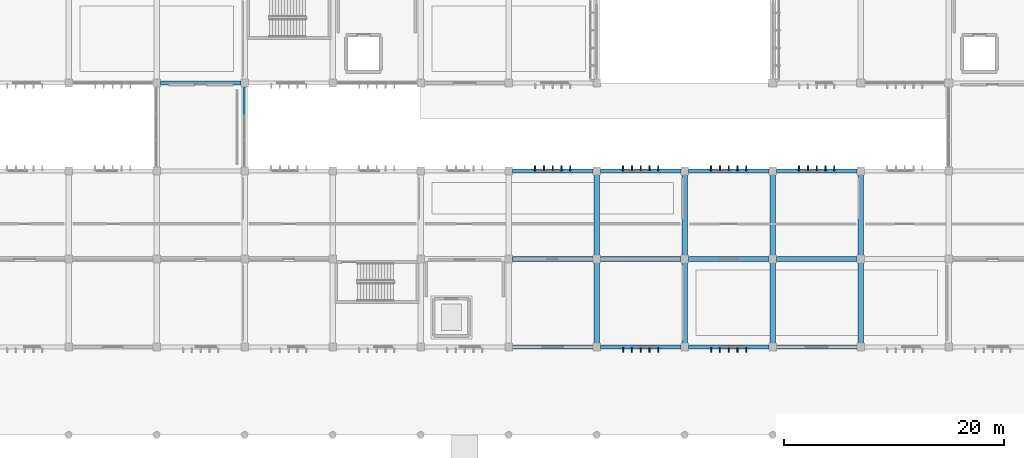
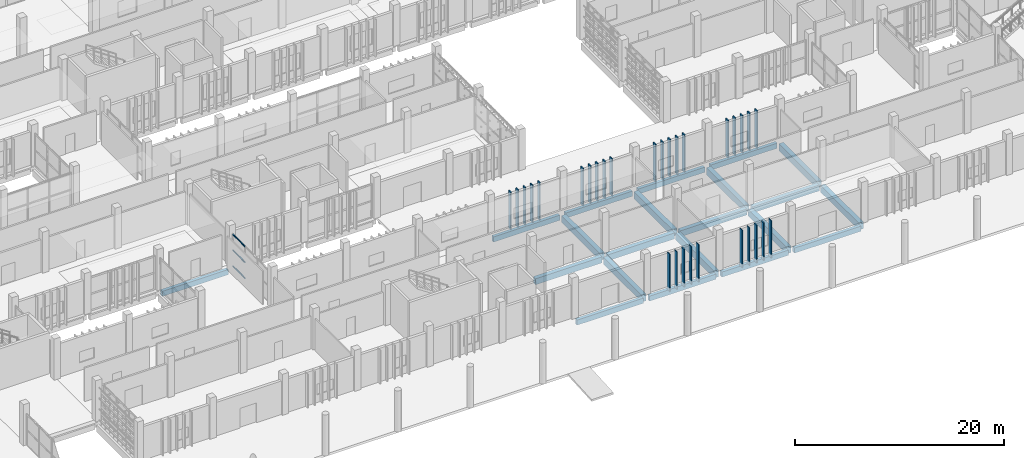
# One storey, part 39 of 117: 33 members, 21 beams, 1 element without a shape of its own.
"""IFC4 building model written with IfcOpenShell, lengths in metres."""

from ifc_helpers import new_model, si_unit, direction, frame, origin, origin_2d, place, context, subcontext, project, spatial, rectangle, extrude, material, layer, layer_set, material_profile, profile_set, type_object, element, aggregate, save


model = new_model("IFC4")

# Units and contexts
model_context = context("Model", 3, precision=1e-05, world=origin(), true_north=direction((0.0, 1.0)))
body_context = subcontext(model_context, "Body", "Model", "MODEL_VIEW")
ifc_project = project(units=[si_unit("LENGTHUNIT", "METRE"), si_unit("AREAUNIT", "SQUARE_METRE"), si_unit("VOLUMEUNIT", "CUBIC_METRE"), si_unit("PLANEANGLEUNIT", "RADIAN"), si_unit("MASSUNIT", "GRAM", prefix="KILO")], contexts=[model_context])

# Site, building, storey
site_placement = place(None, origin())
site = spatial("IfcSite", under=ifc_project, at=site_placement, CompositionType="ELEMENT")
building_placement = place(site_placement, origin())
building = spatial("IfcBuilding", under=site, at=building_placement, Name="Jelvoka-Kovrelna Polytechnic", CompositionType="ELEMENT")
storey_placement = place(building_placement, origin())
storey = spatial("IfcBuildingStorey", under=building, at=storey_placement, Name="L01", CompositionType="ELEMENT", Elevation=0.0)

# Beams
ifc_material_1 = material(Name="Concrete C40/50", Category="concrete")
ifc_material_profile_1 = material_profile(ifc_material_1, rectangle(XDim=0.449951171875, YDim=0.699951171875, at=origin_2d()), Name="RC 450x700")
ifc_profile_set_1 = profile_set([ifc_material_profile_1], Name="Concrete C40/50")
beam_type_1 = type_object("IfcBeamType", Name="Beam_RC_450x700", PredefinedType="BEAM", material=ifc_profile_set_1)
for number, where, z_axis, x_axis, name in (
    (1, (104.330078125, 16.0, -0.7548828125), (1.0, 0.0, 0.0), (0.0, 1.0, 0.0), "L01 beam 0314"),
    (2, (112.330078125, 16.0, -0.7548828125), (1.0, 0.0, 0.0), (0.0, 1.0, 0.0), "L01 beam 0344"),
    (3, (120.330078125, 16.0, -0.7548828125), (1.0, 0.0, 0.0), (0.0, 1.0, 0.0), "L01 beam 0345"),
    (4, (128.330078125, 16.0, -0.7548828125), (1.0, 0.0, 0.0), (0.0, 1.0, 0.0), "L01 beam 0346"),
):
    element("IfcBeam", number, at=place(storey_placement, frame(where, z_axis=z_axis, x_axis=x_axis)), inside=storey, type_object=beam_type_1, Name=name, PredefinedType="BEAM", context=body_context, shape_type="SweptSolid", body=[
        extrude(rectangle(XDim=0.449951171875, YDim=0.699951171875, at=origin_2d()), origin(), (0.0, 0.0, 1.0), 7.33984375),
    ])
ifc_material_2 = material(Name="Concrete C40/50", Category="concrete")
ifc_material_profile_2 = material_profile(ifc_material_2, rectangle(XDim=0.5, YDim=0.800048828125, at=origin_2d()), Name="RC 500x800")
ifc_profile_set_2 = profile_set([ifc_material_profile_2], Name="Concrete C40/50")
beam_type_2 = type_object("IfcBeamType", Name="Beam_RC_500x800", PredefinedType="BEAM", material=ifc_profile_set_2)
for number, where, z_axis, x_axis, name in (
    (5, (112.0, 8.330078125, -0.804931640625), (0.0, 1.0, 0.0), (-1.0, 0.0, 0.0), "L01 beam 0336"),
    (6, (112.0, 16.330078125, -0.804931640625), (0.0, 1.0, 0.0), (-1.0, 0.0, 0.0), "L01 beam 0337"),
    (7, (120.0, 8.330078125, -0.804931640625), (0.0, 1.0, 0.0), (-1.0, 0.0, 0.0), "L01 beam 0356"),
    (8, (120.0, 16.330078125, -0.804931640625), (0.0, 1.0, 0.0), (-1.0, 0.0, 0.0), "L01 beam 0357"),
    (9, (128.0, 8.330078125, -0.804931640625), (0.0, 1.0, 0.0), (-1.0, 0.0, 0.0), "L01 beam 0358"),
    (10, (128.0, 16.330078125, -0.804931640625), (0.0, 1.0, 0.0), (-1.0, 0.0, 0.0), "L01 beam 0359"),
    (11, (136.0, 8.330078125, -0.804931640625), (0.0, 1.0, 0.0), (-1.0, 0.0, 0.0), "L01 beam 0360"),
    (12, (136.0, 16.330078125, -0.804931640625), (0.0, 1.0, 0.0), (-1.0, 0.0, 0.0), "L01 beam 0361"),
):
    element("IfcBeam", number, at=place(storey_placement, frame(where, z_axis=z_axis, x_axis=x_axis)), inside=storey, type_object=beam_type_2, Name=name, PredefinedType="BEAM", context=body_context, shape_type="SweptSolid", body=[
        extrude(rectangle(XDim=0.5, YDim=0.800048828125, at=origin_2d()), origin(), (0.0, 0.0, 1.0), 7.33984375),
    ])

# Members
ifc_material_3 = material(Name="Precast concrete C40/50", Category="concrete")
ifc_material_profile_3 = material_profile(ifc_material_3, rectangle(XDim=0.10009765625, YDim=0.449951171875, at=origin_2d()), Name="PC 100x450")
ifc_profile_set_3 = profile_set([ifc_material_profile_3], Name="Precast concrete C40/50")
member_type_1 = type_object("IfcMemberType", Name="Louvre_Fin_100x450", PredefinedType="USERDEFINED", material=ifc_profile_set_3)
for number, where, z_axis, x_axis, name in (
    (13, (114.39990234375, 7.735107421875, -0.419921875), (0.0, 0.0, 1.0), (1.0, 0.0, 0.0), "L01 B1 south vertical solar louvre fin 0056"),
    (14, (115.199951171875, 7.735107421875, -0.419921875), (0.0, 0.0, 1.0), (1.0, 0.0, 0.0), "L01 B1 south vertical solar louvre fin 0057"),
    (15, (116.0, 7.735107421875, -0.419921875), (0.0, 0.0, 1.0), (1.0, 0.0, 0.0), "L01 B1 south vertical solar louvre fin 0058"),
    (16, (116.800048828125, 7.735107421875, -0.419921875), (0.0, 0.0, 1.0), (1.0, 0.0, 0.0), "L01 B1 south vertical solar louvre fin 0059"),
    (17, (117.60009765625, 7.735107421875, -0.419921875), (0.0, 0.0, 1.0), (1.0, 0.0, 0.0), "L01 B1 south vertical solar louvre fin 0060"),
    (18, (122.39990234375, 7.735107421875, -0.419921875), (0.0, 0.0, 1.0), (1.0, 0.0, 0.0), "L01 B1 south vertical solar louvre fin 0066"),
    (19, (123.199951171875, 7.735107421875, -0.419921875), (0.0, 0.0, 1.0), (1.0, 0.0, 0.0), "L01 B1 south vertical solar louvre fin 0067"),
    (20, (124.0, 7.735107421875, -0.419921875), (0.0, 0.0, 1.0), (1.0, 0.0, 0.0), "L01 B1 south vertical solar louvre fin 0068"),
    (21, (124.800048828125, 7.735107421875, -0.419921875), (0.0, 0.0, 1.0), (1.0, 0.0, 0.0), "L01 B1 south vertical solar louvre fin 0069"),
    (22, (125.60009765625, 7.735107421875, -0.419921875), (0.0, 0.0, 1.0), (1.0, 0.0, 0.0), "L01 B1 south vertical solar louvre fin 0070"),
):
    element("IfcMember", number, at=place(storey_placement, frame(where, z_axis=z_axis, x_axis=x_axis)), inside=storey, type_object=member_type_1, Name=name, ObjectType="SUNSHADE", PredefinedType="USERDEFINED", context=body_context, shape_type="SweptSolid", body=[
        extrude(rectangle(XDim=0.10009765625, YDim=0.449951171875, at=origin_2d()), origin(), (0.0, 0.0, 1.0), 4.3798828125),
    ])
ifc_material_4 = material(Name="Precast concrete C40/50", Category="concrete")
ifc_material_profile_4 = material_profile(ifc_material_4, rectangle(XDim=0.1201171875, YDim=0.449951171875, at=origin_2d()), Name="PC 120x450")
ifc_profile_set_4 = profile_set([ifc_material_profile_4], Name="Precast concrete C40/50")
member_type_2 = type_object("IfcMemberType", Name="Louvre_Fin_120x450", PredefinedType="USERDEFINED", material=ifc_profile_set_4)
for number, where, z_axis, x_axis, name in (
    (23, (106.39990234375, 24.264892578125, -0.419921875), (0.0, 0.0, 1.0), (1.0, 0.0, 0.0), "L01 B1 north vertical solar louvre fin 0051"),
    (24, (107.199951171875, 24.264892578125, -0.419921875), (0.0, 0.0, 1.0), (1.0, 0.0, 0.0), "L01 B1 north vertical solar louvre fin 0052"),
    (25, (108.0, 24.264892578125, -0.419921875), (0.0, 0.0, 1.0), (1.0, 0.0, 0.0), "L01 B1 north vertical solar louvre fin 0053"),
    (26, (108.800048828125, 24.264892578125, -0.419921875), (0.0, 0.0, 1.0), (1.0, 0.0, 0.0), "L01 B1 north vertical solar louvre fin 0054"),
    (27, (109.60009765625, 24.264892578125, -0.419921875), (0.0, 0.0, 1.0), (1.0, 0.0, 0.0), "L01 B1 north vertical solar louvre fin 0055"),
    (28, (114.39990234375, 24.264892578125, -0.419921875), (0.0, 0.0, 1.0), (1.0, 0.0, 0.0), "L01 B1 north vertical solar louvre fin 0061"),
    (29, (115.199951171875, 24.264892578125, -0.419921875), (0.0, 0.0, 1.0), (1.0, 0.0, 0.0), "L01 B1 north vertical solar louvre fin 0062"),
    (30, (116.0, 24.264892578125, -0.419921875), (0.0, 0.0, 1.0), (1.0, 0.0, 0.0), "L01 B1 north vertical solar louvre fin 0063"),
    (31, (116.800048828125, 24.264892578125, -0.419921875), (0.0, 0.0, 1.0), (1.0, 0.0, 0.0), "L01 B1 north vertical solar louvre fin 0064"),
    (32, (117.60009765625, 24.264892578125, -0.419921875), (0.0, 0.0, 1.0), (1.0, 0.0, 0.0), "L01 B1 north vertical solar louvre fin 0065"),
    (33, (122.39990234375, 24.264892578125, -0.419921875), (0.0, 0.0, 1.0), (1.0, 0.0, 0.0), "L01 B1 north vertical solar louvre fin 0071"),
    (34, (123.199951171875, 24.264892578125, -0.419921875), (0.0, 0.0, 1.0), (1.0, 0.0, 0.0), "L01 B1 north vertical solar louvre fin 0072"),
    (35, (124.0, 24.264892578125, -0.419921875), (0.0, 0.0, 1.0), (1.0, 0.0, 0.0), "L01 B1 north vertical solar louvre fin 0073"),
    (36, (124.800048828125, 24.264892578125, -0.419921875), (0.0, 0.0, 1.0), (1.0, 0.0, 0.0), "L01 B1 north vertical solar louvre fin 0074"),
    (37, (125.60009765625, 24.264892578125, -0.419921875), (0.0, 0.0, 1.0), (1.0, 0.0, 0.0), "L01 B1 north vertical solar louvre fin 0075"),
    (38, (130.39990234375, 24.264892578125, -0.419921875), (0.0, 0.0, 1.0), (1.0, 0.0, 0.0), "L01 B1 north vertical solar louvre fin 0076"),
    (39, (131.199951171875, 24.264892578125, -0.419921875), (0.0, 0.0, 1.0), (1.0, 0.0, 0.0), "L01 B1 north vertical solar louvre fin 0077"),
    (40, (132.0, 24.264892578125, -0.419921875), (0.0, 0.0, 1.0), (1.0, 0.0, 0.0), "L01 B1 north vertical solar louvre fin 0078"),
    (41, (132.800048828125, 24.264892578125, -0.419921875), (0.0, 0.0, 1.0), (1.0, 0.0, 0.0), "L01 B1 north vertical solar louvre fin 0079"),
    (42, (133.60009765625, 24.264892578125, -0.419921875), (0.0, 0.0, 1.0), (1.0, 0.0, 0.0), "L01 B1 north vertical solar louvre fin 0080"),
):
    element("IfcMember", number, at=place(storey_placement, frame(where, z_axis=z_axis, x_axis=x_axis)), inside=storey, type_object=member_type_2, Name=name, ObjectType="SUNSHADE", PredefinedType="USERDEFINED", context=body_context, shape_type="SweptSolid", body=[
        extrude(rectangle(XDim=0.1201171875, YDim=0.449951171875, at=origin_2d()), origin(), (0.0, 0.0, 1.0), 4.3798828125),
    ])

# Beams
ifc_material_5 = material(Name="Concrete C40/50", Category="concrete")
ifc_material_profile_5 = material_profile(ifc_material_5, rectangle(XDim=0.35009765625, YDim=0.60009765625, at=origin_2d()), Name="RC 350x600")
ifc_profile_set_5 = profile_set([ifc_material_profile_5], Name="Concrete C40/50")
beam_type_3 = type_object("IfcBeamType", Name="Spandrel_RC_350x600", PredefinedType="SPANDREL", material=ifc_profile_set_5)
for number, where, z_axis, x_axis, name in (
    (43, (104.330078125, 8.0, -0.705078125), (1.0, 0.0, 0.0), (0.0, 1.0, 0.0), "L01 beam 0308"),
    (44, (104.330078125, 24.0, -0.705078125), (1.0, 0.0, 0.0), (0.0, 1.0, 0.0), "L01 beam 0321"),
    (45, (112.330078125, 8.0, -0.705078125), (1.0, 0.0, 0.0), (0.0, 1.0, 0.0), "L01 beam 0338"),
    (46, (120.330078125, 8.0, -0.705078125), (1.0, 0.0, 0.0), (0.0, 1.0, 0.0), "L01 beam 0339"),
    (47, (128.330078125, 8.0, -0.705078125), (1.0, 0.0, 0.0), (0.0, 1.0, 0.0), "L01 beam 0340"),
    (48, (112.330078125, 24.0, -0.705078125), (1.0, 0.0, 0.0), (0.0, 1.0, 0.0), "L01 beam 0350"),
    (49, (120.330078125, 24.0, -0.705078125), (1.0, 0.0, 0.0), (0.0, 1.0, 0.0), "L01 beam 0351"),
    (50, (128.330078125, 24.0, -0.705078125), (1.0, 0.0, 0.0), (0.0, 1.0, 0.0), "L01 beam 0352"),
):
    element("IfcBeam", number, at=place(storey_placement, frame(where, z_axis=z_axis, x_axis=x_axis)), inside=storey, type_object=beam_type_3, Name=name, PredefinedType="SPANDREL", context=body_context, shape_type="SweptSolid", body=[
        extrude(rectangle(XDim=0.35009765625, YDim=0.60009765625, at=origin_2d()), origin(), (0.0, 0.0, 1.0), 7.33984375),
    ])
beam_placement = place(storey_placement, frame((72.35498046875, 32.0, -0.705078125), z_axis=(1.0, 0.0, 0.0), x_axis=(0.0, 1.0, 0.0)))
element("IfcBeam", 51, at=beam_placement, inside=storey, type_object=beam_type_3, Name="L01 beam 0368", PredefinedType="SPANDREL", context=body_context, shape_type="SweptSolid", body=[
    extrude(rectangle(XDim=0.35009765625, YDim=0.60009765625, at=origin_2d()), origin(), (0.0, 0.0, 1.0), 7.2900390625),
])

# Curtain wall, members
ifc_material_6 = material(Name="Anodised aluminium 6063-T6", Category="aluminium")
ifc_layer = layer(ifc_material_6, 0.159912109375)
ifc_layer_set = layer_set([ifc_layer], Name="Anodised aluminium 6063-T6")
curtain_wall_type = type_object("IfcCurtainWallType", Name="CW_LinkBridge", PredefinedType="NOTDEFINED", material=ifc_layer_set)
curtain_wall_placement = place(storey_placement, origin())
curtain_wall = element("IfcCurtainWall", 52, at=curtain_wall_placement, inside=storey, type_object=curtain_wall_type, Name="L01 glazed curtain wall 105", PredefinedType="NOTDEFINED")
ifc_material_7 = material(Name="Anodised aluminium 6063-T6", Category="aluminium")
ifc_material_profile_6 = material_profile(ifc_material_7, rectangle(XDim=0.06005859375, YDim=0.1201171875, at=origin_2d()), Name="ALU 60x120")
ifc_profile_set_6 = profile_set([ifc_material_profile_6], Name="Anodised aluminium 6063-T6")
member_type_3 = type_object("IfcMemberType", Name="Transom_T-04", PredefinedType="USERDEFINED", material=ifc_profile_set_6)
member_1_placement = place(storey_placement, frame((80.0, 31.5400390625, 0.030029296875), z_axis=(0.0, -1.0, 0.0), x_axis=(1.0, 0.0, 0.0)))
member_1 = element("IfcMember", 53, at=member_1_placement, type_object=member_type_3, Name="CW-04 transom 1.1", ObjectType="TRANSOM", PredefinedType="USERDEFINED", context=body_context, shape_type="SweptSolid", body=[
    extrude(rectangle(XDim=0.06005859375, YDim=0.1201171875, at=origin_2d()), origin(), (0.0, 0.0, 1.0), 2.31005859375),
])
member_2_placement = place(storey_placement, frame((80.0, 31.5400390625, 1.8798828125), z_axis=(0.0, -1.0, 0.0), x_axis=(1.0, 0.0, 0.0)))
member_2 = element("IfcMember", 54, at=member_2_placement, type_object=member_type_3, Name="CW-04 transom 1.2", ObjectType="TRANSOM", PredefinedType="USERDEFINED", context=body_context, shape_type="SweptSolid", body=[
    extrude(rectangle(XDim=0.06005859375, YDim=0.1201171875, at=origin_2d()), origin(), (0.0, 0.0, 1.0), 2.31005859375),
])
member_3_placement = place(storey_placement, frame((80.0, 31.5400390625, 3.72998046875), z_axis=(0.0, -1.0, 0.0), x_axis=(1.0, 0.0, 0.0)))
member_3 = element("IfcMember", 55, at=member_3_placement, type_object=member_type_3, Name="CW-04 transom 1.3", ObjectType="TRANSOM", PredefinedType="USERDEFINED", context=body_context, shape_type="SweptSolid", body=[
    extrude(rectangle(XDim=0.06005859375, YDim=0.1201171875, at=origin_2d()), origin(), (0.0, 0.0, 1.0), 2.31005859375),
])
aggregate(curtain_wall, [member_1, member_2, member_3])

save(model, "model.ifc")
